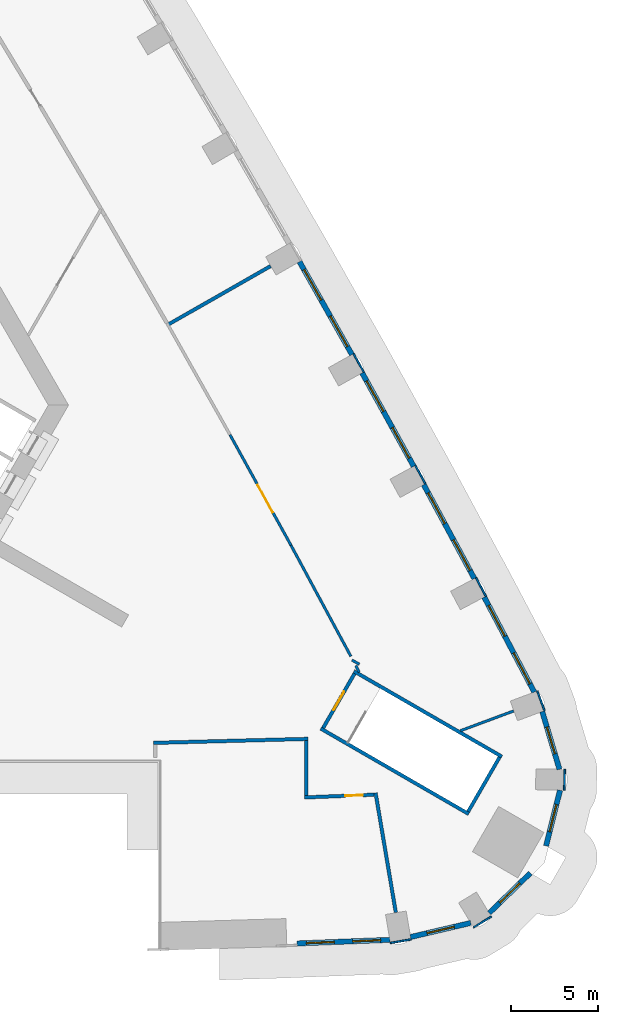
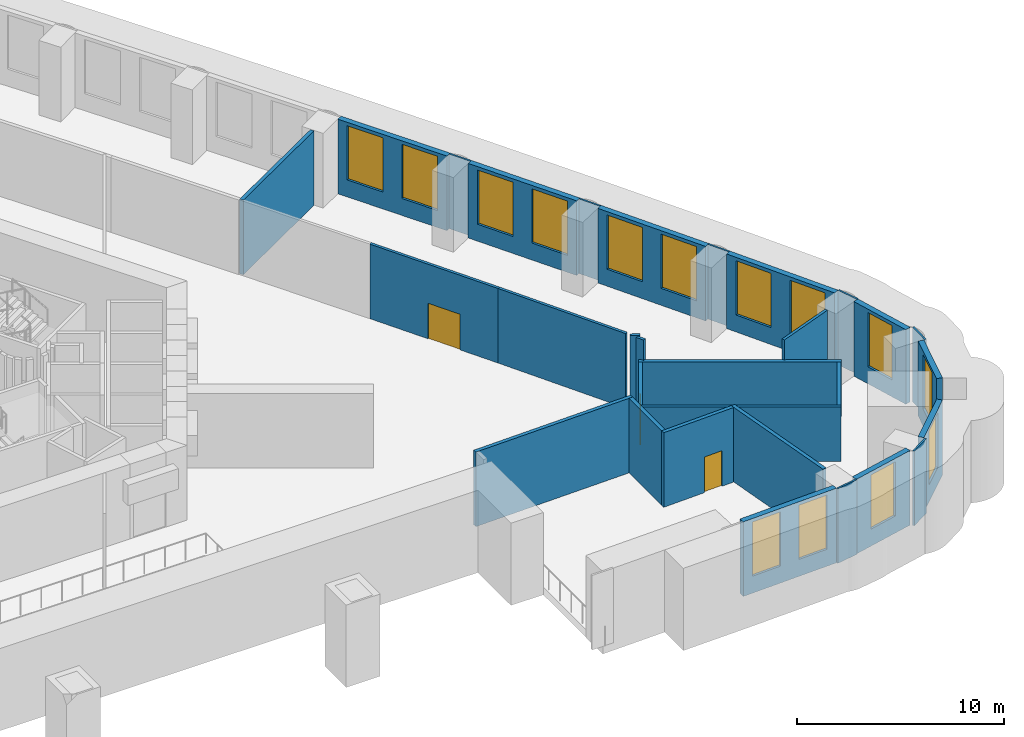
# One storey, part 7 of 15: 30 walls, 14 windows, 3 doors, 17 openings.
"""IFC4 building model written with IfcOpenShell, lengths in metres."""

from ifc_helpers import new_model, si_unit, direction, frame, frame_2d, origin, place, context, subcontext, project, spatial, rectangle, extrude, material, layer, layer_set, type_object, element, fill, save


model = new_model("IFC4")

# Units and contexts
model_context = context("Model", 3, precision=1e-05, world=origin(), true_north=direction((0.0, 1.0)))
body_context = subcontext(model_context, "Body", "Model", "MODEL_VIEW")
ifc_project = project(units=[si_unit("LENGTHUNIT", "METRE"), si_unit("AREAUNIT", "SQUARE_METRE"), si_unit("VOLUMEUNIT", "CUBIC_METRE"), si_unit("PLANEANGLEUNIT", "RADIAN"), si_unit("MASSUNIT", "GRAM", prefix="KILO")], contexts=[model_context])

# Site, building, storey
site_placement = place(None, origin())
site = spatial("IfcSite", under=ifc_project, at=site_placement, CompositionType="ELEMENT")
building_placement = place(site_placement, origin())
building = spatial("IfcBuilding", under=site, at=building_placement, Name="Entoto Arch Interchange Tower", CompositionType="ELEMENT")
storey_placement = place(building_placement, frame((0.0, 0.0, 30.0)))
storey = spatial("IfcBuildingStorey", under=building, at=storey_placement, Name="L05", CompositionType="ELEMENT", Elevation=30.0)

# Walls
ifc_material_1 = material(Name="Gypsum board partition on steel studs", Category="steel")
ifc_layer_1 = layer(ifc_material_1, 0.14990234375)
ifc_layer_set_1 = layer_set([ifc_layer_1], Name="Gypsum board partition on steel studs")
wall_type_1 = type_object("IfcWallType", Name="PARTITION 150", PredefinedType="PARTITIONING", material=ifc_layer_set_1)
wall_1_placement = place(storey_placement, frame((39.3779296875, -15.037109375, 0.0), z_axis=(0.0, 0.0, 1.0), x_axis=(-0.937400028274, -0.348254485961, 0.0)))
element("IfcWall", 1, at=wall_1_placement, inside=storey, type_object=wall_type_1, Name="wall:L05:p043", PredefinedType="PARTITIONING", context=body_context, shape_type="SweptSolid", body=[
    extrude(rectangle(XDim=3.247314453125, YDim=0.14990234375, at=frame_2d((1.62353515625, 0.0))), origin(), (0.0, 0.0, 1.0), 4.39990234375),
])
wall_2_placement = place(storey_placement, frame((30.528076171875, -12.81591796875, 0.0), z_axis=(0.0, 0.0, 1.0), x_axis=(-0.465959538506, 0.884806028729, 0.0)))
element("IfcWall", 2, at=wall_2_placement, inside=storey, type_object=wall_type_1, Name="wall:L05:p044", PredefinedType="PARTITIONING", context=body_context, shape_type="SweptSolid", body=[
    extrude(rectangle(XDim=0.4248046875, YDim=0.14990234375, at=frame_2d((0.21240234375, 0.0))), origin(), (0.0, 0.0, 1.0), 4.39990234375),
])
wall_3_placement = place(storey_placement, frame((30.537109375, -12.35791015625, 0.0), z_axis=(0.0, 0.0, 1.0), x_axis=(-0.86759393416, 0.497273330684, 0.0)))
element("IfcWall", 3, at=wall_3_placement, inside=storey, type_object=wall_type_1, Name="wall:L05:p045", PredefinedType="PARTITIONING", context=body_context, shape_type="SweptSolid", body=[
    extrude(rectangle(XDim=0.486572265625, YDim=0.14990234375, at=frame_2d((0.2431640625, 0.0))), origin(), (0.0, 0.0, 1.0), 4.39990234375),
])
wall_4_placement = place(storey_placement, frame((30.047119140625, -11.90087890625, 0.0), z_axis=(0.0, 0.0, 1.0), x_axis=(-0.474697082426, 0.88014923731, 0.0)))
element("IfcWall", 4, at=wall_4_placement, inside=storey, type_object=wall_type_1, Name="wall:L05:p046", PredefinedType="PARTITIONING", context=body_context, shape_type="SweptSolid", body=[
    extrude(rectangle(XDim=7.23828125, YDim=0.14990234375, at=frame_2d((3.619140625, 0.0))), origin(), (0.0, 0.0, 1.0), 4.39990234375),
])

# Wall, opening, door
wall_5_placement = place(storey_placement, frame((26.611083984375, -5.530029296875, 0.0), z_axis=(0.0, 0.0, 1.0), x_axis=(-0.483166511457, 0.875528481665, 0.0)))
wall_5 = element("IfcWall", 5, at=wall_5_placement, inside=storey, type_object=wall_type_1, Name="wall:L05:p047", PredefinedType="PARTITIONING", context=body_context, shape_type="SweptSolid", body=[
    extrude(rectangle(XDim=7.23779296875, YDim=0.14990234375, at=frame_2d((3.618896484375, 0.0))), origin(), (0.0, 0.0, 1.0), 4.39990234375),
])
opening_1_placement = place(wall_5_placement, frame((2.155029296875, 0.0, 0.0)))
opening_1 = element("IfcOpeningElement", 6, at=opening_1_placement, cuts=wall_5, Name="Opening L05-D04", PredefinedType="OPENING", context=body_context, shape_type="SweptSolid", body=[
    extrude(rectangle(XDim=1.800048828125, YDim=2.10009765625, at=frame_2d((0.89990234375, 1.050048828125))), frame((0.0, 0.0849609375, 0.0), z_axis=(0.0, -1.0, 0.0), x_axis=(1.0, 0.0, 0.0)), (0.0, 0.0, 1.0), 0.169921875),
])
ifc_material_2 = material(Name="Timber door leaf in Steel S235 frame", Category="steel")
door_type_1 = type_object("IfcDoorType", Name="DOOR DD-18 1800x2100", OperationType="DOUBLE_DOOR_SINGLE_SWING", PredefinedType="DOOR", material=ifc_material_2)
door_1_placement = place(opening_1_placement, origin())
door_1 = element("IfcDoor", 7, at=door_1_placement, inside=storey, type_object=door_type_1, Name="door:L05:04", OperationType="DOUBLE_DOOR_SINGLE_SWING", OverallHeight=2.10009765625, OverallWidth=1.800048828125, PredefinedType="DOOR", context=body_context, shape_type="SweptSolid", body=[
    extrude(rectangle(XDim=1.800048828125, YDim=2.10009765625, at=frame_2d((0.89990234375, 1.050048828125))), frame((0.0, 0.02490234375, 0.0), z_axis=(0.0, -1.0, 0.0), x_axis=(1.0, 0.0, 0.0)), (0.0, 0.0, 1.0), 0.050048828125),
])
fill(opening_1, door_1)

# Walls
ifc_layer_2 = layer(ifc_material_1, 0.199951171875)
ifc_layer_set_2 = layer_set([ifc_layer_2], Name="Gypsum board partition on steel studs")
wall_type_2 = type_object("IfcWallType", Name="PARTITION 200", PredefinedType="PARTITIONING", material=ifc_layer_set_2)
wall_6_placement = place(storey_placement, frame((18.721923828125, -16.865966796875, 0.0), z_axis=(0.0, 0.0, 1.0), x_axis=(0.999664659407, 0.025895341927, 0.0)))
element("IfcWall", 8, at=wall_6_placement, inside=storey, type_object=wall_type_2, Name="wall:L05:p038", PredefinedType="PARTITIONING", context=body_context, shape_type="SweptSolid", body=[
    extrude(rectangle(XDim=8.881103515625, YDim=0.199951171875, at=frame_2d((4.4404296875, 0.0))), origin(), (0.0, 0.0, 1.0), 4.39990234375),
])
wall_7_placement = place(storey_placement, frame((27.5, -16.739013671875, 0.0), z_axis=(0.0, 0.0, 1.0), x_axis=(0.0, -1.0, 0.0)))
element("IfcWall", 9, at=wall_7_placement, inside=storey, type_object=wall_type_2, Name="wall:L05:p039", PredefinedType="PARTITIONING", context=body_context, shape_type="SweptSolid", body=[
    extrude(rectangle(XDim=3.14990234375, YDim=0.199951171875, at=frame_2d((1.574951171875, 0.0))), origin(), (0.0, 0.0, 1.0), 4.39990234375),
])

# Wall, opening, door
wall_8_placement = place(storey_placement, frame((27.39990234375, -19.992919921875, 0.0), z_axis=(0.0, 0.0, 1.0), x_axis=(0.999233502058, 0.03914598785, 0.0)))
wall_8 = element("IfcWall", 10, at=wall_8_placement, inside=storey, type_object=wall_type_2, Name="wall:L05:p040", PredefinedType="PARTITIONING", context=body_context, shape_type="SweptSolid", body=[
    extrude(rectangle(XDim=3.9853515625, YDim=0.199951171875, at=frame_2d((1.99267578125, 0.0))), origin(), (0.0, 0.0, 1.0), 4.39990234375),
])
opening_2_placement = place(wall_8_placement, frame((2.33203125, 0.0, 0.0)))
opening_2 = element("IfcOpeningElement", 11, at=opening_2_placement, cuts=wall_8, Name="Opening L05-D03", PredefinedType="OPENING", context=body_context, shape_type="SweptSolid", body=[
    extrude(rectangle(XDim=1.0, YDim=2.10009765625, at=frame_2d((0.5, 1.050048828125))), frame((0.0, 0.10986328125, 0.0), z_axis=(0.0, -1.0, 0.0), x_axis=(1.0, 0.0, 0.0)), (0.0, 0.0, 1.0), 0.219970703125),
])
ifc_material_3 = material(Name="Fire-rated Steel S235 door and frame", Category="steel")
door_type_2 = type_object("IfcDoorType", Name="DOOR FD-10 1000x2100", OperationType="SINGLE_SWING_LEFT", PredefinedType="DOOR", material=ifc_material_3)
door_2_placement = place(opening_2_placement, origin())
door_2 = element("IfcDoor", 12, at=door_2_placement, inside=storey, type_object=door_type_2, Name="door:L05:03", OperationType="SINGLE_SWING_RIGHT", OverallHeight=2.10009765625, OverallWidth=1.0, PredefinedType="DOOR", context=body_context, shape_type="SweptSolid", body=[
    extrude(rectangle(XDim=1.0, YDim=2.10009765625, at=frame_2d((0.5, 1.050048828125))), frame((0.0, 0.02490234375, 0.0), z_axis=(0.0, -1.0, 0.0), x_axis=(1.0, 0.0, 0.0)), (0.0, 0.0, 1.0), 0.050048828125),
])
fill(opening_2, door_2)

# Walls
wall_9_placement = place(storey_placement, frame((31.465087890625, -19.73388671875, 0.0), z_axis=(0.0, 0.0, 1.0), x_axis=(0.166858828969, -0.985980796565, 0.0)))
element("IfcWall", 13, at=wall_9_placement, inside=storey, type_object=wall_type_2, Name="wall:L05:p041", PredefinedType="PARTITIONING", context=body_context, shape_type="SweptSolid", body=[
    extrude(rectangle(XDim=6.951416015625, YDim=0.199951171875, at=frame_2d((3.4755859375, 0.0))), origin(), (0.0, 0.0, 1.0), 4.39990234375),
])
wall_10_placement = place(storey_placement, frame((19.553955078125, 7.113037109375, 0.0), z_axis=(0.0, 0.0, 1.0), x_axis=(0.868584181489, 0.495541642718, 0.0)))
element("IfcWall", 14, at=wall_10_placement, inside=storey, type_object=wall_type_2, Name="wall:L05:p042", PredefinedType="PARTITIONING", context=body_context, shape_type="SweptSolid", body=[
    extrude(rectangle(XDim=6.7802734375, YDim=0.199951171875, at=frame_2d((3.39013671875, 0.0))), origin(), (0.0, 0.0, 1.0), 4.39990234375),
])
ifc_material_4 = material(Name="Concrete C40/50", Category="concrete")
ifc_layer_3 = layer(ifc_material_4, 0.199951171875)
ifc_layer_set_3 = layer_set([ifc_layer_3], Name="Concrete C40/50")
wall_type_3 = type_object("IfcWallType", Name="STAIR ENCLOSURE WALL 200", PredefinedType="STANDARD", material=ifc_layer_set_3)
for number, where, z_axis, x_axis, name in (
    (15, (28.322021484375, -16.044921875, 0.0), (0.0, 0.0, 1.0), (0.866019227021, -0.500010698315, 0.0), "Stair wall PST-SE left"),
    (16, (30.221923828125, -12.7548828125, 0.0), (0.0, 0.0, 1.0), (0.866019227021, -0.500010698315, 0.0), "Stair wall PST-SE right"),
):
    element("IfcWall", number, at=place(storey_placement, frame(where, z_axis=z_axis, x_axis=x_axis)), inside=storey, type_object=wall_type_3, Name=name, PredefinedType="STANDARD", context=body_context, shape_type="SweptSolid", body=[
        extrude(rectangle(XDim=9.800048828125, YDim=0.199951171875, at=frame_2d((4.89990234375, 0.0))), origin(), (0.0, 0.0, 1.0), 3.199951171875),
    ])

# Wall, opening, door
wall_11_placement = place(storey_placement, frame((28.4580078125, -16.009033203125, 0.0), z_axis=(0.0, 0.0, 1.0), x_axis=(0.499982693035, 0.866035395735, 0.0)))
wall_11 = element("IfcWall", 17, at=wall_11_placement, inside=storey, type_object=wall_type_3, Name="Stair wall PST-SE near", PredefinedType="STANDARD", context=body_context, shape_type="SweptSolid", body=[
    extrude(rectangle(XDim=3.600341796875, YDim=0.199951171875, at=frame_2d((1.80029296875, 0.0))), origin(), (0.0, 0.0, 1.0), 3.199951171875),
])
opening_3_placement = place(wall_11_placement, frame((1.199951171875, 0.0, 0.0)))
opening_3 = element("IfcOpeningElement", 18, at=opening_3_placement, cuts=wall_11, Name="Opening SD-PST-SE-L05", PredefinedType="OPENING", context=body_context, shape_type="SweptSolid", body=[
    extrude(rectangle(XDim=1.199951171875, YDim=2.199951171875, at=frame_2d((0.60009765625, 1.10009765625))), frame((0.0, 0.10986328125, 0.0), z_axis=(0.0, -1.0, 0.0), x_axis=(1.0, 0.0, 0.0)), (0.0, 0.0, 1.0), 0.219970703125),
])
ifc_material_5 = material(Name="Steel S235", Category="steel")
door_type_3 = type_object("IfcDoorType", Name="STAIR DOOR SD2 1200x2200", OperationType="SINGLE_SWING_LEFT", PredefinedType="DOOR", material=ifc_material_5)
door_3_placement = place(opening_3_placement, origin())
door_3 = element("IfcDoor", 19, at=door_3_placement, inside=storey, type_object=door_type_3, Name="Stair door PST-SE L05", OperationType="SINGLE_SWING_LEFT", OverallHeight=2.199951171875, OverallWidth=1.199951171875, PredefinedType="DOOR", context=body_context, shape_type="SweptSolid", body=[
    extrude(rectangle(XDim=1.199951171875, YDim=2.199951171875, at=frame_2d((0.60009765625, 1.10009765625))), frame((0.0, 0.02490234375, 0.0), z_axis=(0.0, -1.0, 0.0), x_axis=(1.0, 0.0, 0.0)), (0.0, 0.0, 1.0), 0.050048828125),
])
fill(opening_3, door_3)

# Wall
wall_12_placement = place(storey_placement, frame((36.77197265625, -20.80908203125, 0.0), z_axis=(0.0, 0.0, 1.0), x_axis=(0.49995333141, 0.866052346231, 0.0)))
element("IfcWall", 20, at=wall_12_placement, inside=storey, type_object=wall_type_3, Name="Stair wall PST-SE far", PredefinedType="STANDARD", context=body_context, shape_type="SweptSolid", body=[
    extrude(rectangle(XDim=3.600341796875, YDim=0.199951171875, at=frame_2d((1.80029296875, 0.0))), origin(), (0.0, 0.0, 1.0), 3.199951171875),
])

# Wall, openings, windows
ifc_material_6 = material(Name="Welded tuff (ignimbrite) cladding, warm buff", Category="masonry")
ifc_layer_4 = layer(ifc_material_6, 0.300048828125)
ifc_layer_set_4 = layer_set([ifc_layer_4], Name="Welded tuff (ignimbrite) cladding, warm buff")
wall_type_4 = type_object("IfcWallType", Name="STONE INFILL WALL 300", PredefinedType="STANDARD", material=ifc_layer_set_4)
wall_13_placement = place(storey_placement, frame((26.969970703125, -28.366943359375, 0.0), z_axis=(0.0, 0.0, 1.0), x_axis=(0.999234205654, 0.039128023863, 0.0)))
wall_13 = element("IfcWall", 21, at=wall_13_placement, inside=storey, type_object=wall_type_4, Name="Facade wall S-05 L05", PredefinedType="STANDARD", context=body_context, shape_type="SweptSolid", body=[
    extrude(rectangle(XDim=5.316162109375, YDim=0.300048828125, at=frame_2d((2.658203125, 0.0))), origin(), (0.0, 0.0, 1.0), 4.39990234375),
])
opening_4_placement = place(wall_13_placement, frame((0.529052734375, 0.0, 1.0)))
opening_4 = element("IfcOpeningElement", 22, at=opening_4_placement, cuts=wall_13, Name="Opening WP-C", PredefinedType="OPENING", context=body_context, shape_type="SweptSolid", body=[
    extrude(rectangle(XDim=1.60009765625, YDim=3.199951171875, at=frame_2d((0.800048828125, 1.60009765625))), frame((0.0, 0.16015625, 0.0), z_axis=(0.0, -1.0, 0.0), x_axis=(1.0, 0.0, 0.0)), (0.0, 0.0, 1.0), 0.320068359375),
])
opening_5_placement = place(wall_13_placement, frame((3.18701171875, 0.0, 1.0)))
opening_5 = element("IfcOpeningElement", 23, at=opening_5_placement, cuts=wall_13, Name="Opening WP-C", PredefinedType="OPENING", context=body_context, shape_type="SweptSolid", body=[
    extrude(rectangle(XDim=1.60009765625, YDim=3.199951171875, at=frame_2d((0.800048828125, 1.60009765625))), frame((0.0, 0.16015625, 0.0), z_axis=(0.0, -1.0, 0.0), x_axis=(1.0, 0.0, 0.0)), (0.0, 0.0, 1.0), 0.320068359375),
])
ifc_material_7 = material(Name="Clear glass, low-e double glazed", Category="glass")
window_type_1 = type_object("IfcWindowType", Name="WINDOW WP-C 1600x3200", PartitioningType="DOUBLE_PANEL_VERTICAL", PredefinedType="WINDOW", material=ifc_material_7)
window_1_placement = place(opening_4_placement, origin())
window_1 = element("IfcWindow", 24, at=window_1_placement, inside=storey, type_object=window_type_1, Name="Window WP-C S-05 L05", OverallHeight=3.199951171875, OverallWidth=1.60009765625, PartitioningType="SINGLE_PANEL", PredefinedType="WINDOW", context=body_context, shape_type="SweptSolid", body=[
    extrude(rectangle(XDim=1.60009765625, YDim=3.199951171875, at=frame_2d((0.800048828125, 1.60009765625))), frame((0.0, 0.030029296875, 0.0), z_axis=(0.0, -1.0, 0.0), x_axis=(1.0, 0.0, 0.0)), (0.0, 0.0, 1.0), 0.06005859375),
])
fill(opening_4, window_1)
window_2_placement = place(opening_5_placement, origin())
window_2 = element("IfcWindow", 25, at=window_2_placement, inside=storey, type_object=window_type_1, Name="Window WP-C S-05 L05", OverallHeight=3.199951171875, OverallWidth=1.60009765625, PartitioningType="SINGLE_PANEL", PredefinedType="WINDOW", context=body_context, shape_type="SweptSolid", body=[
    extrude(rectangle(XDim=1.60009765625, YDim=3.199951171875, at=frame_2d((0.800048828125, 1.60009765625))), frame((0.0, 0.030029296875, 0.0), z_axis=(0.0, -1.0, 0.0), x_axis=(1.0, 0.0, 0.0)), (0.0, 0.0, 1.0), 0.06005859375),
])
fill(opening_5, window_2)

# Wall, opening, window
wall_14_placement = place(storey_placement, frame((33.469970703125, -27.9990234375, 0.0), z_axis=(0.0, 0.0, 1.0), x_axis=(0.97357041301, 0.228387063799, 0.0)))
wall_14 = element("IfcWall", 26, at=wall_14_placement, inside=storey, type_object=wall_type_4, Name="Facade wall SE-01 L05", PredefinedType="STANDARD", context=body_context, shape_type="SweptSolid", body=[
    extrude(rectangle(XDim=3.546875, YDim=0.300048828125, at=frame_2d((1.7734375, 0.0))), origin(), (0.0, 0.0, 1.0), 4.39990234375),
])
opening_6_placement = place(wall_14_placement, frame((0.972900390625, 0.0, 1.0)))
opening_6 = element("IfcOpeningElement", 27, at=opening_6_placement, cuts=wall_14, Name="Opening WP-C", PredefinedType="OPENING", context=body_context, shape_type="SweptSolid", body=[
    extrude(rectangle(XDim=1.60009765625, YDim=3.199951171875, at=frame_2d((0.800048828125, 1.60009765625))), frame((0.0, 0.16015625, 0.0), z_axis=(0.0, -1.0, 0.0), x_axis=(1.0, 0.0, 0.0)), (0.0, 0.0, 1.0), 0.320068359375),
])
window_3_placement = place(opening_6_placement, origin())
window_3 = element("IfcWindow", 28, at=window_3_placement, inside=storey, type_object=window_type_1, Name="Window WP-C SE-01 L05", OverallHeight=3.199951171875, OverallWidth=1.60009765625, PartitioningType="SINGLE_PANEL", PredefinedType="WINDOW", context=body_context, shape_type="SweptSolid", body=[
    extrude(rectangle(XDim=1.60009765625, YDim=3.199951171875, at=frame_2d((0.800048828125, 1.60009765625))), frame((0.0, 0.030029296875, 0.0), z_axis=(0.0, -1.0, 0.0), x_axis=(1.0, 0.0, 0.0)), (0.0, 0.0, 1.0), 0.06005859375),
])
fill(opening_6, window_3)

wall_15_placement = place(storey_placement, frame((37.97998046875, -26.62109375, 0.0), z_axis=(0.0, 0.0, 1.0), x_axis=(0.717527250225, 0.696530433782, 0.0)))
wall_15 = element("IfcWall", 29, at=wall_15_placement, inside=storey, type_object=wall_type_4, Name="Facade wall SE-02 L05", PredefinedType="STANDARD", context=body_context, shape_type="SweptSolid", body=[
    extrude(rectangle(XDim=3.29052734375, YDim=0.300048828125, at=frame_2d((1.645263671875, 0.0))), origin(), (0.0, 0.0, 1.0), 4.39990234375),
])
opening_7_placement = place(wall_15_placement, frame((0.844970703125, 0.0, 1.0)))
opening_7 = element("IfcOpeningElement", 30, at=opening_7_placement, cuts=wall_15, Name="Opening WP-C", PredefinedType="OPENING", context=body_context, shape_type="SweptSolid", body=[
    extrude(rectangle(XDim=1.60009765625, YDim=3.199951171875, at=frame_2d((0.800048828125, 1.60009765625))), frame((0.0, 0.16015625, 0.0), z_axis=(0.0, -1.0, 0.0), x_axis=(1.0, 0.0, 0.0)), (0.0, 0.0, 1.0), 0.320068359375),
])
window_4_placement = place(opening_7_placement, origin())
window_4 = element("IfcWindow", 31, at=window_4_placement, inside=storey, type_object=window_type_1, Name="Window WP-C SE-02 L05", OverallHeight=3.199951171875, OverallWidth=1.60009765625, PartitioningType="SINGLE_PANEL", PredefinedType="WINDOW", context=body_context, shape_type="SweptSolid", body=[
    extrude(rectangle(XDim=1.60009765625, YDim=3.199951171875, at=frame_2d((0.800048828125, 1.60009765625))), frame((0.0, 0.030029296875, 0.0), z_axis=(0.0, -1.0, 0.0), x_axis=(1.0, 0.0, 0.0)), (0.0, 0.0, 1.0), 0.06005859375),
])
fill(opening_7, window_4)

wall_16_placement = place(storey_placement, frame((41.239990234375, -22.77197265625, 0.0), z_axis=(0.0, 0.0, 1.0), x_axis=(0.244315836028, 0.969695711172, 0.0)))
wall_16 = element("IfcWall", 32, at=wall_16_placement, inside=storey, type_object=wall_type_4, Name="Facade wall SE-03 L05", PredefinedType="STANDARD", context=body_context, shape_type="SweptSolid", body=[
    extrude(rectangle(XDim=3.29052734375, YDim=0.300048828125, at=frame_2d((1.645263671875, 0.0))), origin(), (0.0, 0.0, 1.0), 4.39990234375),
])
opening_8_placement = place(wall_16_placement, frame((0.844970703125, 0.0, 1.0)))
opening_8 = element("IfcOpeningElement", 33, at=opening_8_placement, cuts=wall_16, Name="Opening WP-C", PredefinedType="OPENING", context=body_context, shape_type="SweptSolid", body=[
    extrude(rectangle(XDim=1.60009765625, YDim=3.199951171875, at=frame_2d((0.800048828125, 1.60009765625))), frame((0.0, 0.16015625, 0.0), z_axis=(0.0, -1.0, 0.0), x_axis=(1.0, 0.0, 0.0)), (0.0, 0.0, 1.0), 0.320068359375),
])
window_5_placement = place(opening_8_placement, origin())
window_5 = element("IfcWindow", 34, at=window_5_placement, inside=storey, type_object=window_type_1, Name="Window WP-C SE-03 L05", OverallHeight=3.199951171875, OverallWidth=1.60009765625, PartitioningType="SINGLE_PANEL", PredefinedType="WINDOW", context=body_context, shape_type="SweptSolid", body=[
    extrude(rectangle(XDim=1.60009765625, YDim=3.199951171875, at=frame_2d((0.800048828125, 1.60009765625))), frame((0.0, 0.030029296875, 0.0), z_axis=(0.0, -1.0, 0.0), x_axis=(1.0, 0.0, 0.0)), (0.0, 0.0, 1.0), 0.06005859375),
])
fill(opening_8, window_5)

wall_17_placement = place(storey_placement, frame((42.010986328125, -18.382080078125, 0.0), z_axis=(0.0, 0.0, 1.0), x_axis=(-0.285800575124, 0.958289116738, 0.0)))
wall_17 = element("IfcWall", 35, at=wall_17_placement, inside=storey, type_object=wall_type_4, Name="Facade wall SE-04 L05", PredefinedType="STANDARD", context=body_context, shape_type="SweptSolid", body=[
    extrude(rectangle(XDim=3.46044921875, YDim=0.300048828125, at=frame_2d((1.730224609375, 0.0))), origin(), (0.0, 0.0, 1.0), 4.39990234375),
])
opening_9_placement = place(wall_17_placement, frame((0.929931640625, 0.0, 1.0)))
opening_9 = element("IfcOpeningElement", 36, at=opening_9_placement, cuts=wall_17, Name="Opening WP-C", PredefinedType="OPENING", context=body_context, shape_type="SweptSolid", body=[
    extrude(rectangle(XDim=1.60009765625, YDim=3.199951171875, at=frame_2d((0.800048828125, 1.60009765625))), frame((0.0, 0.16015625, 0.0), z_axis=(0.0, -1.0, 0.0), x_axis=(1.0, 0.0, 0.0)), (0.0, 0.0, 1.0), 0.320068359375),
])
window_6_placement = place(opening_9_placement, origin())
window_6 = element("IfcWindow", 37, at=window_6_placement, inside=storey, type_object=window_type_1, Name="Window WP-C SE-04 L05", OverallHeight=3.199951171875, OverallWidth=1.60009765625, PartitioningType="SINGLE_PANEL", PredefinedType="WINDOW", context=body_context, shape_type="SweptSolid", body=[
    extrude(rectangle(XDim=1.60009765625, YDim=3.199951171875, at=frame_2d((0.800048828125, 1.60009765625))), frame((0.0, 0.030029296875, 0.0), z_axis=(0.0, -1.0, 0.0), x_axis=(1.0, 0.0, 0.0)), (0.0, 0.0, 1.0), 0.06005859375),
])
fill(opening_9, window_6)

# Wall, openings, windows
wall_18_placement = place(storey_placement, frame((40.568115234375, -13.9560546875, 0.0), z_axis=(0.0, 0.0, 1.0), x_axis=(-0.466125129602, 0.884718804792, 0.0)))
wall_18 = element("IfcWall", 38, at=wall_18_placement, inside=storey, type_object=wall_type_4, Name="Facade wall NE-01 L05", PredefinedType="STANDARD", context=body_context, shape_type="SweptSolid", body=[
    extrude(rectangle(XDim=6.16357421875, YDim=0.300048828125, at=frame_2d((3.081787109375, 0.0))), origin(), (0.0, 0.0, 1.0), 4.39990234375),
])
opening_10_placement = place(wall_18_placement, frame((0.541015625, 0.0, 1.0)))
opening_10 = element("IfcOpeningElement", 39, at=opening_10_placement, cuts=wall_18, Name="Opening WP-E", PredefinedType="OPENING", context=body_context, shape_type="SweptSolid", body=[
    extrude(rectangle(XDim=2.0, YDim=3.199951171875, at=frame_2d((1.0, 1.60009765625))), frame((0.0, 0.16015625, 0.0), z_axis=(0.0, -1.0, 0.0), x_axis=(1.0, 0.0, 0.0)), (0.0, 0.0, 1.0), 0.320068359375),
])
opening_11_placement = place(wall_18_placement, frame((3.623046875, 0.0, 1.0)))
opening_11 = element("IfcOpeningElement", 40, at=opening_11_placement, cuts=wall_18, Name="Opening WP-E", PredefinedType="OPENING", context=body_context, shape_type="SweptSolid", body=[
    extrude(rectangle(XDim=2.0, YDim=3.199951171875, at=frame_2d((1.0, 1.60009765625))), frame((0.0, 0.16015625, 0.0), z_axis=(0.0, -1.0, 0.0), x_axis=(1.0, 0.0, 0.0)), (0.0, 0.0, 1.0), 0.320068359375),
])
window_type_2 = type_object("IfcWindowType", Name="WINDOW WP-E 2000x3200", PartitioningType="DOUBLE_PANEL_VERTICAL", PredefinedType="WINDOW", material=ifc_material_7)
window_7_placement = place(opening_10_placement, origin())
window_7 = element("IfcWindow", 41, at=window_7_placement, inside=storey, type_object=window_type_2, Name="Window WP-E NE-01 L05", OverallHeight=3.199951171875, OverallWidth=2.0, PartitioningType="SINGLE_PANEL", PredefinedType="WINDOW", context=body_context, shape_type="SweptSolid", body=[
    extrude(rectangle(XDim=2.0, YDim=3.199951171875, at=frame_2d((1.0, 1.60009765625))), frame((0.0, 0.030029296875, 0.0), z_axis=(0.0, -1.0, 0.0), x_axis=(1.0, 0.0, 0.0)), (0.0, 0.0, 1.0), 0.06005859375),
])
fill(opening_10, window_7)
window_8_placement = place(opening_11_placement, origin())
window_8 = element("IfcWindow", 42, at=window_8_placement, inside=storey, type_object=window_type_2, Name="Window WP-E NE-01 L05", OverallHeight=3.199951171875, OverallWidth=2.0, PartitioningType="SINGLE_PANEL", PredefinedType="WINDOW", context=body_context, shape_type="SweptSolid", body=[
    extrude(rectangle(XDim=2.0, YDim=3.199951171875, at=frame_2d((1.0, 1.60009765625))), frame((0.0, 0.030029296875, 0.0), z_axis=(0.0, -1.0, 0.0), x_axis=(1.0, 0.0, 0.0)), (0.0, 0.0, 1.0), 0.06005859375),
])
fill(opening_11, window_8)

wall_19_placement = place(storey_placement, frame((37.131103515625, -7.446044921875, 0.0), z_axis=(0.0, 0.0, 1.0), x_axis=(-0.474584950749, 0.880209704856, 0.0)))
wall_19 = element("IfcWall", 43, at=wall_19_placement, inside=storey, type_object=wall_type_4, Name="Facade wall NE-02 L05", PredefinedType="STANDARD", context=body_context, shape_type="SweptSolid", body=[
    extrude(rectangle(XDim=6.12109375, YDim=0.300048828125, at=frame_2d((3.060546875, 0.0))), origin(), (0.0, 0.0, 1.0), 4.39990234375),
])
opening_12_placement = place(wall_19_placement, frame((0.530029296875, 0.0, 1.0)))
opening_12 = element("IfcOpeningElement", 44, at=opening_12_placement, cuts=wall_19, Name="Opening WP-E", PredefinedType="OPENING", context=body_context, shape_type="SweptSolid", body=[
    extrude(rectangle(XDim=2.0, YDim=3.199951171875, at=frame_2d((1.0, 1.60009765625))), frame((0.0, 0.16015625, 0.0), z_axis=(0.0, -1.0, 0.0), x_axis=(1.0, 0.0, 0.0)), (0.0, 0.0, 1.0), 0.320068359375),
])
opening_13_placement = place(wall_19_placement, frame((3.591064453125, 0.0, 1.0)))
opening_13 = element("IfcOpeningElement", 45, at=opening_13_placement, cuts=wall_19, Name="Opening WP-E", PredefinedType="OPENING", context=body_context, shape_type="SweptSolid", body=[
    extrude(rectangle(XDim=2.0, YDim=3.199951171875, at=frame_2d((1.0, 1.60009765625))), frame((0.0, 0.16015625, 0.0), z_axis=(0.0, -1.0, 0.0), x_axis=(1.0, 0.0, 0.0)), (0.0, 0.0, 1.0), 0.320068359375),
])
window_9_placement = place(opening_12_placement, origin())
window_9 = element("IfcWindow", 46, at=window_9_placement, inside=storey, type_object=window_type_2, Name="Window WP-E NE-02 L05", OverallHeight=3.199951171875, OverallWidth=2.0, PartitioningType="SINGLE_PANEL", PredefinedType="WINDOW", context=body_context, shape_type="SweptSolid", body=[
    extrude(rectangle(XDim=2.0, YDim=3.199951171875, at=frame_2d((1.0, 1.60009765625))), frame((0.0, 0.030029296875, 0.0), z_axis=(0.0, -1.0, 0.0), x_axis=(1.0, 0.0, 0.0)), (0.0, 0.0, 1.0), 0.06005859375),
])
fill(opening_12, window_9)
window_10_placement = place(opening_13_placement, origin())
window_10 = element("IfcWindow", 47, at=window_10_placement, inside=storey, type_object=window_type_2, Name="Window WP-E NE-02 L05", OverallHeight=3.199951171875, OverallWidth=2.0, PartitioningType="SINGLE_PANEL", PredefinedType="WINDOW", context=body_context, shape_type="SweptSolid", body=[
    extrude(rectangle(XDim=2.0, YDim=3.199951171875, at=frame_2d((1.0, 1.60009765625))), frame((0.0, 0.030029296875, 0.0), z_axis=(0.0, -1.0, 0.0), x_axis=(1.0, 0.0, 0.0)), (0.0, 0.0, 1.0), 0.06005859375),
])
fill(opening_13, window_10)

wall_20_placement = place(storey_placement, frame((33.652099609375, -1.006103515625, 0.0), z_axis=(0.0, 0.0, 1.0), x_axis=(-0.483233380559, 0.875491576152, 0.0)))
wall_20 = element("IfcWall", 48, at=wall_20_placement, inside=storey, type_object=wall_type_4, Name="Facade wall NE-03 L05", PredefinedType="STANDARD", context=body_context, shape_type="SweptSolid", body=[
    extrude(rectangle(XDim=6.121337890625, YDim=0.300048828125, at=frame_2d((3.060546875, 0.0))), origin(), (0.0, 0.0, 1.0), 4.39990234375),
])
opening_14_placement = place(wall_20_placement, frame((0.530029296875, 0.0, 1.0)))
opening_14 = element("IfcOpeningElement", 49, at=opening_14_placement, cuts=wall_20, Name="Opening WP-E", PredefinedType="OPENING", context=body_context, shape_type="SweptSolid", body=[
    extrude(rectangle(XDim=2.0, YDim=3.199951171875, at=frame_2d((1.0, 1.60009765625))), frame((0.0, 0.16015625, 0.0), z_axis=(0.0, -1.0, 0.0), x_axis=(1.0, 0.0, 0.0)), (0.0, 0.0, 1.0), 0.320068359375),
])
opening_15_placement = place(wall_20_placement, frame((3.591064453125, 0.0, 1.0)))
opening_15 = element("IfcOpeningElement", 50, at=opening_15_placement, cuts=wall_20, Name="Opening WP-E", PredefinedType="OPENING", context=body_context, shape_type="SweptSolid", body=[
    extrude(rectangle(XDim=2.0, YDim=3.199951171875, at=frame_2d((1.0, 1.60009765625))), frame((0.0, 0.16015625, 0.0), z_axis=(0.0, -1.0, 0.0), x_axis=(1.0, 0.0, 0.0)), (0.0, 0.0, 1.0), 0.320068359375),
])
window_11_placement = place(opening_14_placement, origin())
window_11 = element("IfcWindow", 51, at=window_11_placement, inside=storey, type_object=window_type_2, Name="Window WP-E NE-03 L05", OverallHeight=3.199951171875, OverallWidth=2.0, PartitioningType="SINGLE_PANEL", PredefinedType="WINDOW", context=body_context, shape_type="SweptSolid", body=[
    extrude(rectangle(XDim=2.0, YDim=3.199951171875, at=frame_2d((1.0, 1.60009765625))), frame((0.0, 0.030029296875, 0.0), z_axis=(0.0, -1.0, 0.0), x_axis=(1.0, 0.0, 0.0)), (0.0, 0.0, 1.0), 0.06005859375),
])
fill(opening_14, window_11)
window_12_placement = place(opening_15_placement, origin())
window_12 = element("IfcWindow", 52, at=window_12_placement, inside=storey, type_object=window_type_2, Name="Window WP-E NE-03 L05", OverallHeight=3.199951171875, OverallWidth=2.0, PartitioningType="SINGLE_PANEL", PredefinedType="WINDOW", context=body_context, shape_type="SweptSolid", body=[
    extrude(rectangle(XDim=2.0, YDim=3.199951171875, at=frame_2d((1.0, 1.60009765625))), frame((0.0, 0.030029296875, 0.0), z_axis=(0.0, -1.0, 0.0), x_axis=(1.0, 0.0, 0.0)), (0.0, 0.0, 1.0), 0.06005859375),
])
fill(opening_15, window_12)

wall_21_placement = place(storey_placement, frame((30.111083984375, 5.39892578125, 0.0), z_axis=(0.0, 0.0, 1.0), x_axis=(-0.491661677717, 0.870786308267, 0.0)))
wall_21 = element("IfcWall", 53, at=wall_21_placement, inside=storey, type_object=wall_type_4, Name="Facade wall NE-04 L05", PredefinedType="STANDARD", context=body_context, shape_type="SweptSolid", body=[
    extrude(rectangle(XDim=6.1220703125, YDim=0.300048828125, at=frame_2d((3.06103515625, 0.0))), origin(), (0.0, 0.0, 1.0), 4.39990234375),
])
opening_16_placement = place(wall_21_placement, frame((0.531005859375, 0.0, 1.0)))
opening_16 = element("IfcOpeningElement", 54, at=opening_16_placement, cuts=wall_21, Name="Opening WP-E", PredefinedType="OPENING", context=body_context, shape_type="SweptSolid", body=[
    extrude(rectangle(XDim=2.0, YDim=3.199951171875, at=frame_2d((1.0, 1.60009765625))), frame((0.0, 0.16015625, 0.0), z_axis=(0.0, -1.0, 0.0), x_axis=(1.0, 0.0, 0.0)), (0.0, 0.0, 1.0), 0.320068359375),
])
opening_17_placement = place(wall_21_placement, frame((3.592041015625, 0.0, 1.0)))
opening_17 = element("IfcOpeningElement", 55, at=opening_17_placement, cuts=wall_21, Name="Opening WP-E", PredefinedType="OPENING", context=body_context, shape_type="SweptSolid", body=[
    extrude(rectangle(XDim=2.0, YDim=3.199951171875, at=frame_2d((1.0, 1.60009765625))), frame((0.0, 0.16015625, 0.0), z_axis=(0.0, -1.0, 0.0), x_axis=(1.0, 0.0, 0.0)), (0.0, 0.0, 1.0), 0.320068359375),
])
window_13_placement = place(opening_16_placement, origin())
window_13 = element("IfcWindow", 56, at=window_13_placement, inside=storey, type_object=window_type_2, Name="Window WP-E NE-04 L05", OverallHeight=3.199951171875, OverallWidth=2.0, PartitioningType="SINGLE_PANEL", PredefinedType="WINDOW", context=body_context, shape_type="SweptSolid", body=[
    extrude(rectangle(XDim=2.0, YDim=3.199951171875, at=frame_2d((1.0, 1.60009765625))), frame((0.0, 0.030029296875, 0.0), z_axis=(0.0, -1.0, 0.0), x_axis=(1.0, 0.0, 0.0)), (0.0, 0.0, 1.0), 0.06005859375),
])
fill(opening_16, window_13)
window_14_placement = place(opening_17_placement, origin())
window_14 = element("IfcWindow", 57, at=window_14_placement, inside=storey, type_object=window_type_2, Name="Window WP-E NE-04 L05", OverallHeight=3.199951171875, OverallWidth=2.0, PartitioningType="SINGLE_PANEL", PredefinedType="WINDOW", context=body_context, shape_type="SweptSolid", body=[
    extrude(rectangle(XDim=2.0, YDim=3.199951171875, at=frame_2d((1.0, 1.60009765625))), frame((0.0, 0.030029296875, 0.0), z_axis=(0.0, -1.0, 0.0), x_axis=(1.0, 0.0, 0.0)), (0.0, 0.0, 1.0), 0.06005859375),
])
fill(opening_17, window_14)

# Walls
ifc_layer_5 = layer(ifc_material_6, 0.10009765625)
ifc_layer_set_5 = layer_set([ifc_layer_5], Name="Welded tuff (ignimbrite) cladding, warm buff")
wall_type_5 = type_object("IfcWallType", Name="STONE PIER CLADDING 100", PredefinedType="STANDARD", material=ifc_layer_set_5)
wall_22_placement = place(storey_placement, frame((41.153076171875, -15.01806640625, 0.0), z_axis=(0.0, 0.0, 1.0), x_axis=(-0.348268249601, 0.937394914814, 0.0)))
element("IfcWall", 58, at=wall_22_placement, inside=storey, type_object=wall_type_5, Name="Stone pier NE01 L05", PredefinedType="STANDARD", context=body_context, shape_type="SweptSolid", body=[
    extrude(rectangle(XDim=1.2001953125, YDim=0.10009765625, at=frame_2d((0.60009765625, 0.0))), origin(), (0.0, 0.0, 1.0), 4.39990234375),
])
wall_23_placement = place(storey_placement, frame((37.784912109375, -8.4560546875, 0.0), z_axis=(0.0, 0.0, 1.0), x_axis=(-0.469383408131, 0.882994459876, 0.0)))
element("IfcWall", 59, at=wall_23_placement, inside=storey, type_object=wall_type_5, Name="Stone pier NE02 L05", PredefinedType="STANDARD", context=body_context, shape_type="SweptSolid", body=[
    extrude(rectangle(XDim=1.199462890625, YDim=0.10009765625, at=frame_2d((0.599609375, 0.0))), origin(), (0.0, 0.0, 1.0), 4.39990234375),
])
wall_24_placement = place(storey_placement, frame((34.31591796875, -2.010009765625, 0.0), z_axis=(0.0, 0.0, 1.0), x_axis=(-0.478267644701, 0.878214131082, 0.0)))
element("IfcWall", 60, at=wall_24_placement, inside=storey, type_object=wall_type_5, Name="Stone pier NE03 L05", PredefinedType="STANDARD", context=body_context, shape_type="SweptSolid", body=[
    extrude(rectangle(XDim=1.2001953125, YDim=0.10009765625, at=frame_2d((0.60009765625, 0.0))), origin(), (0.0, 0.0, 1.0), 4.39990234375),
])
for number, where, z_axis, x_axis, name in (
    (61, (30.783935546875, 4.402099609375, 0.0), (0.0, 0.0, 1.0), (-0.486817526853, 0.873503689488, 0.0), "Stone pier NE04 L05"),
    (62, (32.31103515625, -28.3349609375, 0.0), (0.0, 0.0, 1.0), (0.986011774526, 0.166675674579, 0.0), "Stone pier S06 L05"),
):
    element("IfcWall", number, at=place(storey_placement, frame(where, z_axis=z_axis, x_axis=x_axis)), inside=storey, type_object=wall_type_5, Name=name, PredefinedType="STANDARD", context=body_context, shape_type="SweptSolid", body=[
        extrude(rectangle(XDim=1.19970703125, YDim=0.10009765625, at=frame_2d((0.599853515625, 0.0))), origin(), (0.0, 0.0, 1.0), 4.39990234375),
    ])
for number, where, z_axis, x_axis, name in (
    (63, (37.080078125, -27.448974609375, 0.0), (0.0, 0.0, 1.0), (0.854716608594, 0.519094903649, 0.0), "Stone pier SE1 L05"),
    (64, (42.283935546875, -19.587890625, 0.0), (0.0, 0.0, 1.0), (0.023391359968, 0.999726384707, 0.0), "Stone pier SE3 L05"),
):
    element("IfcWall", number, at=place(storey_placement, frame(where, z_axis=z_axis, x_axis=x_axis)), inside=storey, type_object=wall_type_5, Name=name, PredefinedType="STANDARD", context=body_context, shape_type="SweptSolid", body=[
        extrude(rectangle(XDim=1.2001953125, YDim=0.10009765625, at=frame_2d((0.60009765625, 0.0))), origin(), (0.0, 0.0, 1.0), 4.39990234375),
    ])

save(model, "model.ifc")
